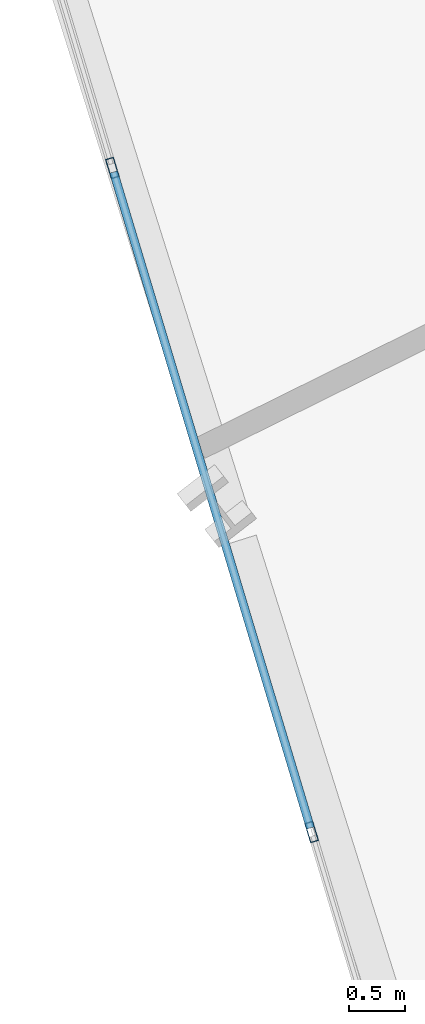
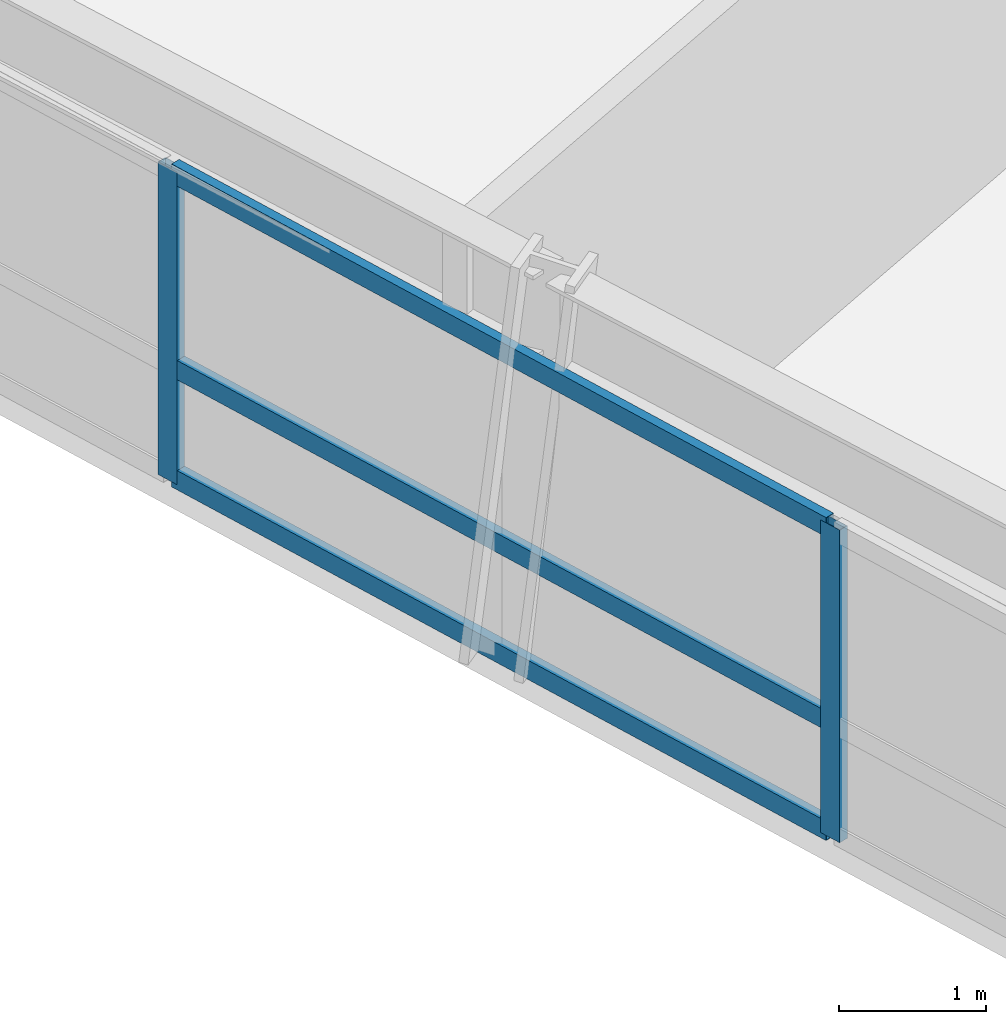
# One storey, part 4 of 22: 5 members, 1 element without a shape of its own.
"""IFC4 building model written with IfcOpenShell, lengths in metres."""

from ifc_helpers import new_model, si_unit, direction, frame, origin, origin_2d, place, context, subcontext, project, spatial, hollow_rectangle, extrude, source, transform, mapped, material, material_profile, profile_set, type_object, element, aggregate, save


model = new_model("IFC4")

# Units and contexts
model_context = context("Model", 3, precision=1e-05, world=origin(), true_north=direction((0.0, 1.0)))
body_context = subcontext(model_context, "Body", "Model", "MODEL_VIEW")
ifc_project = project(units=[si_unit("LENGTHUNIT", "METRE"), si_unit("AREAUNIT", "SQUARE_METRE"), si_unit("VOLUMEUNIT", "CUBIC_METRE"), si_unit("PLANEANGLEUNIT", "RADIAN"), si_unit("MASSUNIT", "GRAM", prefix="KILO")], contexts=[model_context])

# Site, building, storey
site_placement = place(None, origin())
site = spatial("IfcSite", under=ifc_project, at=site_placement, CompositionType="ELEMENT")
building_placement = place(site_placement, origin())
building = spatial("IfcBuilding", under=site, at=building_placement, Name="Olszyna Solenne Hotel", CompositionType="ELEMENT")
storey_placement = place(building_placement, frame((0.0, 0.0, 50.60009765625)))
storey = spatial("IfcBuildingStorey", under=building, at=storey_placement, Name="L12", CompositionType="ELEMENT", Elevation=50.60009765625)

# Curtain wall, members
ifc_material = material(Name="Anodised bronze aluminium", Category="aluminium")
curtain_wall_type = type_object("IfcCurtainWallType", Name="CW-SYS-2", PredefinedType="NOTDEFINED", material=ifc_material)
curtain_wall_placement = place(storey_placement, origin())
curtain_wall = element("IfcCurtainWall", 1, at=curtain_wall_placement, inside=storey, type_object=curtain_wall_type, Name="Unitised curtain wall CW-SYS-2 CW-L12-01", PredefinedType="NOTDEFINED")
ifc_material_profile_1 = material_profile(ifc_material, hollow_rectangle(XDim=0.074951171875, YDim=0.179931640625, WallThickness=0.00439453125, at=origin_2d()), Name="MULL 180x75x4.5", Category="load-bearing")
ifc_profile_set_1 = profile_set([ifc_material_profile_1], Name="Anodised bronze aluminium")
member_type_1 = type_object("IfcMemberType", Name="CW-M2", PredefinedType="MULLION", material=ifc_profile_set_1)
shared_shape_1 = source(origin(), body_context, "Body", "SweptSolid", [
    extrude(hollow_rectangle(XDim=0.074951171875, YDim=0.179931640625, WallThickness=0.00439453125, at=origin_2d()), origin(), (0.0, 0.0, 1.0), 2.591796875),
])
member_1_placement = place(storey_placement, frame((17.24951171875, 19.22998046875, 0.0), z_axis=(0.0, 0.0, 1.0), x_axis=(0.957793182379, 0.287458205291, 0.0)))
member_1 = element("IfcMember", 2, at=member_1_placement, type_object=member_type_1, Name="Curtain-wall mullion CW-M2 CM-L12-01-02", PredefinedType="MULLION", context=body_context, shape_type="MappedRepresentation", body=[
    mapped(shared_shape_1, transform((0.0, 0.0, 0.0), x_axis=(1.0, 0.0, 0.0), y_axis=(0.0, 1.0, 0.0), z_axis=(0.0, 0.0, 1.0), scale=1.0)),
])
member_2_placement = place(storey_placement, frame((19.026611328125, 13.309326171875, 0.0), z_axis=(0.0, 0.0, 1.0), x_axis=(0.957793182379, 0.287458205291, 0.0)))
member_2 = element("IfcMember", 3, at=member_2_placement, type_object=member_type_1, Name="Curtain-wall mullion CW-M2 CM-L12-01-03", PredefinedType="MULLION", context=body_context, shape_type="MappedRepresentation", body=[
    mapped(shared_shape_1, transform((0.0, 0.0, 0.0), x_axis=(1.0, 0.0, 0.0), y_axis=(0.0, 1.0, 0.0), z_axis=(0.0, 0.0, 1.0), scale=1.0)),
])
ifc_material_profile_2 = material_profile(ifc_material, hollow_rectangle(XDim=0.074951171875, YDim=0.159912109375, WallThickness=0.00390625, at=origin_2d()), Name="TRAN 160x75x4", Category="load-bearing")
ifc_profile_set_2 = profile_set([ifc_material_profile_2], Name="Anodised bronze aluminium")
member_type_2 = type_object("IfcMemberType", Name="CW-T1", PredefinedType="USERDEFINED", material=ifc_profile_set_2)
shared_shape_2 = source(origin(), body_context, "Body", "SweptSolid", [
    extrude(hollow_rectangle(XDim=0.074951171875, YDim=0.159912109375, WallThickness=0.00390625, at=origin_2d()), origin(), (0.0, 0.0, 1.0), 6.106689453125),
])
member_3_placement = place(storey_placement, frame((17.260498046875, 19.194091796875, 0.037353515625), z_axis=(0.287454251881, -0.957794368889, 0.0), x_axis=(0.957794368889, 0.287454251881, 0.0)))
member_3 = element("IfcMember", 4, at=member_3_placement, type_object=member_type_2, Name="Curtain-wall transom CW-T1 CT-L12-01-04", ObjectType="TRANSOM", PredefinedType="USERDEFINED", context=body_context, shape_type="MappedRepresentation", body=[
    mapped(shared_shape_2, transform((0.0, 0.0, 0.0), x_axis=(1.0, 0.0, 0.0), y_axis=(0.0, 1.0, 0.0), z_axis=(0.0, 0.0, 1.0), scale=1.0)),
])
member_4_placement = place(storey_placement, frame((17.260498046875, 19.194091796875, 0.949951171875), z_axis=(0.287454251881, -0.957794368889, 0.0), x_axis=(0.957794368889, 0.287454251881, 0.0)))
member_4 = element("IfcMember", 5, at=member_4_placement, type_object=member_type_2, Name="Curtain-wall transom CW-T1 CT-L12-01-05", ObjectType="TRANSOM", PredefinedType="USERDEFINED", context=body_context, shape_type="MappedRepresentation", body=[
    mapped(shared_shape_2, transform((0.0, 0.0, 0.0), x_axis=(1.0, 0.0, 0.0), y_axis=(0.0, 1.0, 0.0), z_axis=(0.0, 0.0, 1.0), scale=1.0)),
])
member_5_placement = place(storey_placement, frame((17.260498046875, 19.194091796875, 2.554443359375), z_axis=(0.287454251881, -0.957794368889, 0.0), x_axis=(0.957794368889, 0.287454251881, 0.0)))
member_5 = element("IfcMember", 6, at=member_5_placement, type_object=member_type_2, Name="Curtain-wall transom CW-T1 CT-L12-01-06", ObjectType="TRANSOM", PredefinedType="USERDEFINED", context=body_context, shape_type="MappedRepresentation", body=[
    mapped(shared_shape_2, transform((0.0, 0.0, 0.0), x_axis=(1.0, 0.0, 0.0), y_axis=(0.0, 1.0, 0.0), z_axis=(0.0, 0.0, 1.0), scale=1.0)),
])
aggregate(curtain_wall, [member_1, member_2, member_3, member_4, member_5])

save(model, "model.ifc")
